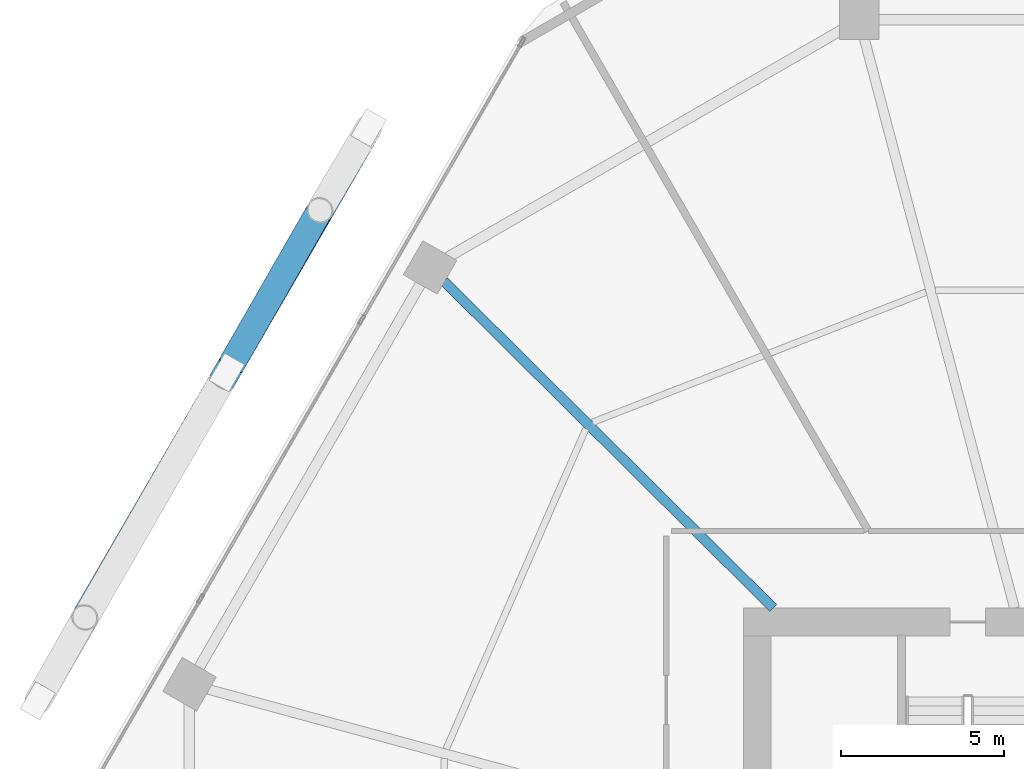
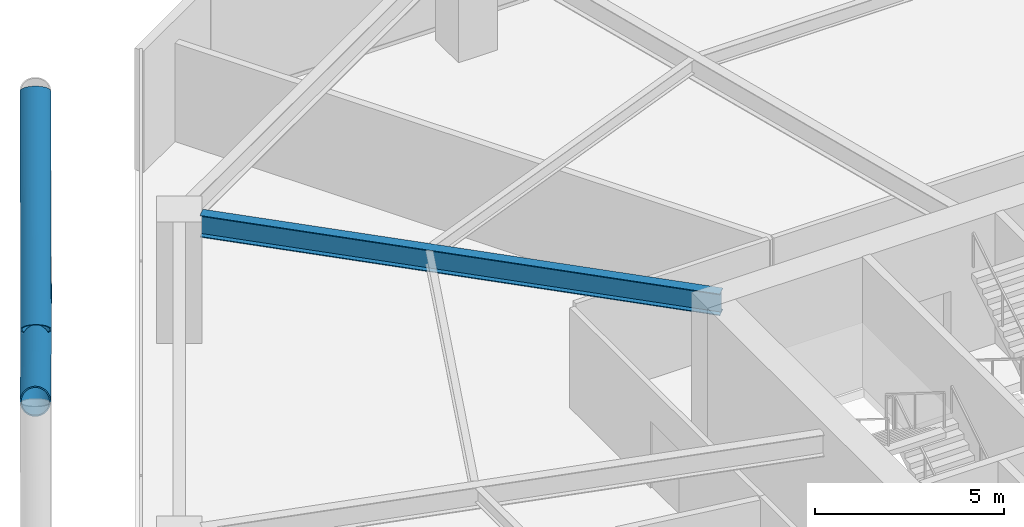
# One storey, part 15 of 28: 2 members, 1 beam.
"""IFC4 building model written with IfcOpenShell, lengths in metres."""

from ifc_helpers import new_model, si_unit, direction, frame, origin, origin_2d, place, context, subcontext, project, spatial, hollow_circle, i_section, extrude, material, material_profile, profile_set, type_object, element, save


model = new_model("IFC4")

# Units and contexts
model_context = context("Model", 3, precision=1e-05, world=origin(), true_north=direction((0.0, 1.0)))
body_context = subcontext(model_context, "Body", "Model", "MODEL_VIEW")
ifc_project = project(units=[si_unit("LENGTHUNIT", "METRE"), si_unit("AREAUNIT", "SQUARE_METRE"), si_unit("VOLUMEUNIT", "CUBIC_METRE"), si_unit("PLANEANGLEUNIT", "RADIAN"), si_unit("MASSUNIT", "GRAM", prefix="KILO")], contexts=[model_context])

# Site, building, storey
site_placement = place(None, origin())
site = spatial("IfcSite", under=ifc_project, at=site_placement, CompositionType="ELEMENT")
building_placement = place(site_placement, origin())
building = spatial("IfcBuilding", under=site, at=building_placement, Name="Zuhravey Tower", CompositionType="ELEMENT")
storey_placement = place(building_placement, frame((0.0, 0.0, 75.0)))
storey = spatial("IfcBuildingStorey", under=building, at=storey_placement, Name="L18", CompositionType="ELEMENT", Elevation=75.0)

# Members
ifc_material_1 = material(Name="Steel SM460", Category="steel")
ifc_material_profile_1 = material_profile(ifc_material_1, hollow_circle(Radius=0.406494140625, WallThickness=0.035888671875, at=origin_2d()), Name="CHS-812.8x36")
ifc_profile_set_1 = profile_set([ifc_material_profile_1], Name="Steel SM460")
member_type = type_object("IfcMemberType", Name="Exoskeleton Zone 1 Diagrid CHS813x36", PredefinedType="BRACE", material=ifc_profile_set_1)
member_1_placement = place(storey_placement, frame((13.57666015625, 56.5986328125, -0.471923828125), z_axis=(-0.451282003886, -0.778532501156, 0.436155588767), x_axis=(0.865159859192, -0.50149617949, 0.0)))
element("IfcMember", 1, at=member_1_placement, inside=storey, type_object=member_type, Name="L18 Face 3 Diagrid Brace 2", PredefinedType="BRACE", context=body_context, shape_type="SweptSolid", body=[
    extrude(hollow_circle(Radius=0.406494140625, WallThickness=0.035888671875, at=origin_2d()), origin(), (0.0, 0.0, 1.0), 19.158203125),
])
member_2_placement = place(storey_placement, frame((9.412841796875, 49.41845703125, 3.940673828125), z_axis=(0.40123405969, 0.699213942278, 0.591701860965), x_axis=(-0.86734227993, 0.497712135121, 0.0)))
element("IfcMember", 2, at=member_2_placement, inside=storey, type_object=member_type, Name="L18 Face 3 Split Diagrid Brace 3B", PredefinedType="BRACE", context=body_context, shape_type="SweptSolid", body=[
    extrude(hollow_circle(Radius=0.406494140625, WallThickness=0.035888671875, at=origin_2d()), origin(), (0.0, 0.0, 1.0), 6.651123046875),
])

# Beam
ifc_material_2 = material(Name="Steel SM355", Category="steel")
ifc_material_profile_2 = material_profile(ifc_material_2, i_section(OverallWidth=0.300048828125, OverallDepth=0.699951171875, WebThickness=0.012939453125, FlangeThickness=0.02392578125, at=origin_2d()), Name="H-700x300x13x24")
ifc_profile_set_2 = profile_set([ifc_material_profile_2], Name="Steel SM355")
beam_type = type_object("IfcBeamType", Name="Radial Primary Girder H700x300", PredefinedType="BEAM", material=ifc_profile_set_2)
beam_placement = place(storey_placement, frame((25.992919921875, 41.927978515625, 3.570068359375), z_axis=(-0.709902823282, 0.704299639, 0.0), x_axis=(-0.704299639, -0.709902823282, 0.0)))
element("IfcBeam", 3, at=beam_placement, inside=storey, type_object=beam_type, Name="L18 RG1 BM-L18-RAD-05", PredefinedType="BEAM", context=body_context, shape_type="SweptSolid", body=[
    extrude(i_section(OverallWidth=0.300048828125, OverallDepth=0.699951171875, WebThickness=0.012939453125, FlangeThickness=0.02392578125, at=origin_2d()), origin(), (0.0, 0.0, 1.0), 14.204345703125),
])

save(model, "model.ifc")
